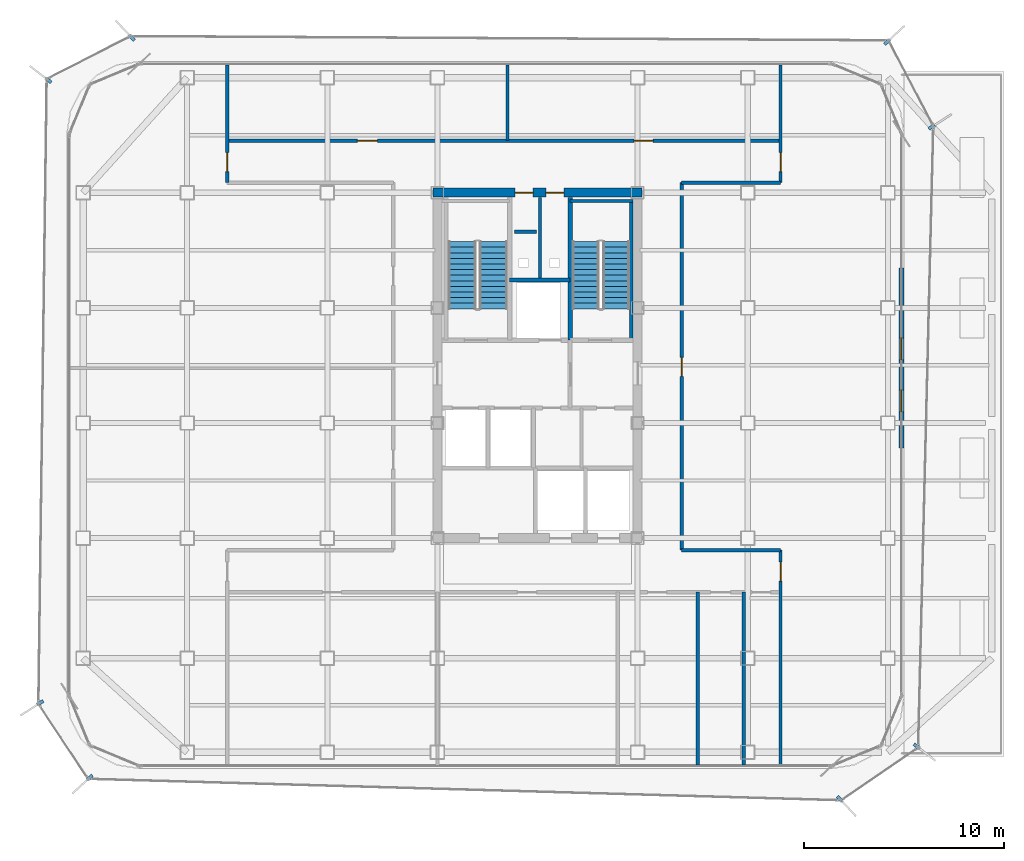
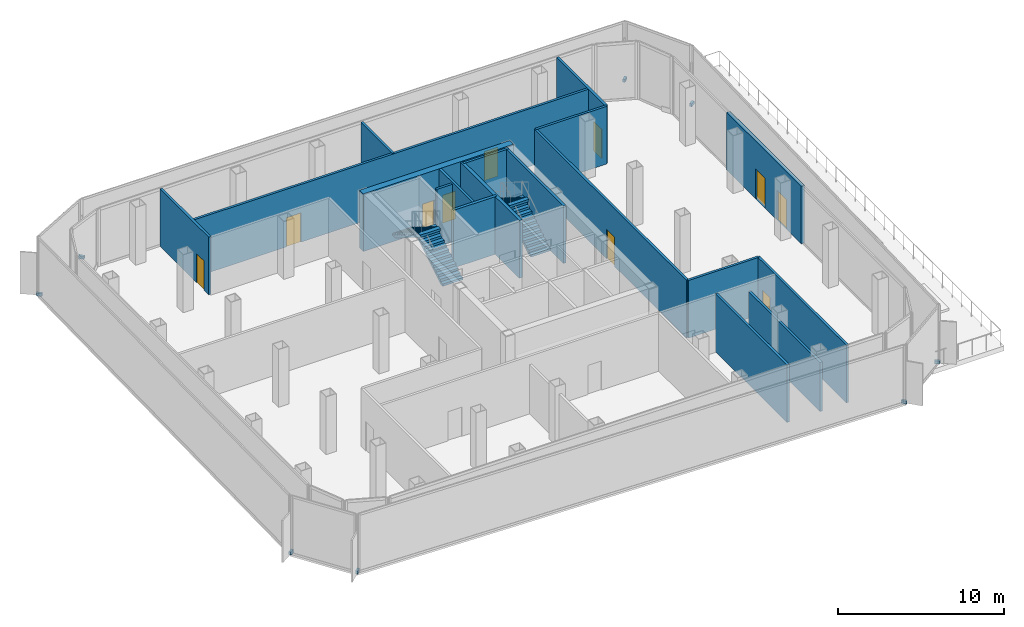
# One storey, part 11 of 14: 18 walls, 10 doors, 8 discrete accessories, 4 stair flights, 10 openings, 2 elements without a shape of their own.
"""IFC4 building model written with IfcOpenShell, lengths in metres."""

from ifc_helpers import new_model, si_unit, direction, frame, frame_2d, origin, origin_2d, place, context, subcontext, project, spatial, polyline, rectangle, outline, extrude, source, transform, mapped, material, layer, layer_set, type_object, element, fill, aggregate, save


model = new_model("IFC4")

# Units and contexts
model_context = context("Model", 3, precision=1e-05, world=origin(), true_north=direction((0.0, 1.0)))
body_context = subcontext(model_context, "Body", "Model", "MODEL_VIEW")
ifc_project = project(units=[si_unit("LENGTHUNIT", "METRE"), si_unit("AREAUNIT", "SQUARE_METRE"), si_unit("VOLUMEUNIT", "CUBIC_METRE"), si_unit("PLANEANGLEUNIT", "RADIAN"), si_unit("MASSUNIT", "GRAM", prefix="KILO")], contexts=[model_context])

# Site, building, storey
site_placement = place(None, origin())
site = spatial("IfcSite", under=ifc_project, at=site_placement, CompositionType="ELEMENT")
building_placement = place(site_placement, origin())
building = spatial("IfcBuilding", under=site, at=building_placement, Name="Kolveth Station Tower", CompositionType="ELEMENT")
storey_placement = place(building_placement, frame((0.0, 0.0, 151.60009765625)))
storey = spatial("IfcBuildingStorey", under=building, at=storey_placement, Name="L42", CompositionType="ELEMENT", Elevation=151.60009765625)

# Wall, openings, doors
ifc_material_1 = material(Name="Concrete C50/60", Category="concrete")
ifc_layer_1 = layer(ifc_material_1, 0.449951171875)
ifc_layer_set_1 = layer_set([ifc_layer_1], Name="Concrete C50/60")
wall_type_1 = type_object("IfcWallType", Name="Wall_CW-450", PredefinedType="SHEAR", material=ifc_layer_set_1)
wall_1_placement = place(storey_placement, frame((18.27490234375, 28.75, 0.0), z_axis=(0.0, 0.0, 1.0), x_axis=(1.0, 0.0, 0.0)))
wall_1 = element("IfcWall", 1, at=wall_1_placement, inside=storey, type_object=wall_type_1, Name="L42 Core RC Shear Wall N", PredefinedType="SHEAR", context=body_context, shape_type="SweptSolid", body=[
    extrude(rectangle(XDim=10.4501953125, YDim=0.449951171875, at=frame_2d((5.22509765625, 0.0))), origin(), (0.0, 0.0, 1.0), 4.25),
])
opening_1_placement = place(wall_1_placement, frame((4.10498046875, 0.0, 0.0)))
opening_1 = element("IfcOpeningElement", 2, at=opening_1_placement, cuts=wall_1, Name="Opening RD1", PredefinedType="OPENING", context=body_context, shape_type="SweptSolid", body=[
    extrude(rectangle(XDim=0.89990234375, YDim=2.050048828125, at=frame_2d((0.449951171875, 1.02490234375))), frame((0.0, 0.23486328125, 0.0), z_axis=(0.0, -1.0, 0.0), x_axis=(1.0, 0.0, 0.0)), (0.0, 0.0, 1.0), 0.469970703125),
])
opening_2_placement = place(wall_1_placement, frame((5.64501953125, 0.0, 0.0)))
opening_2 = element("IfcOpeningElement", 3, at=opening_2_placement, cuts=wall_1, Name="Opening RD1", PredefinedType="OPENING", context=body_context, shape_type="SweptSolid", body=[
    extrude(rectangle(XDim=0.89990234375, YDim=2.050048828125, at=frame_2d((0.449951171875, 1.02490234375))), frame((0.0, 0.23486328125, 0.0), z_axis=(0.0, -1.0, 0.0), x_axis=(1.0, 0.0, 0.0)), (0.0, 0.0, 1.0), 0.469970703125),
])
ifc_material_2 = material(Name="Fire-rated Steel S355 riser access leaf", Category="steel")
door_type_1 = type_object("IfcDoorType", Name="Door_RD1", OperationType="NOTDEFINED", PredefinedType="DOOR", material=ifc_material_2)
door_1_placement = place(opening_1_placement, origin())
door_1 = element("IfcDoor", 4, at=door_1_placement, inside=storey, type_object=door_type_1, Name="L42 Electrical Riser Access Door", OperationType="SINGLE_SWING_LEFT", OverallHeight=2.050048828125, OverallWidth=0.89990234375, PredefinedType="DOOR", context=body_context, shape_type="SweptSolid", body=[
    extrude(rectangle(XDim=0.89990234375, YDim=2.050048828125, at=frame_2d((0.449951171875, 1.02490234375))), frame((0.0, 0.02490234375, 0.0), z_axis=(0.0, -1.0, 0.0), x_axis=(1.0, 0.0, 0.0)), (0.0, 0.0, 1.0), 0.050048828125),
])
fill(opening_1, door_1)
door_2_placement = place(opening_2_placement, origin())
door_2 = element("IfcDoor", 5, at=door_2_placement, inside=storey, type_object=door_type_1, Name="L42 Smoke Duct Access Door", OperationType="SINGLE_SWING_LEFT", OverallHeight=2.050048828125, OverallWidth=0.89990234375, PredefinedType="DOOR", context=body_context, shape_type="SweptSolid", body=[
    extrude(rectangle(XDim=0.89990234375, YDim=2.050048828125, at=frame_2d((0.449951171875, 1.02490234375))), frame((0.0, 0.02490234375, 0.0), z_axis=(0.0, -1.0, 0.0), x_axis=(1.0, 0.0, 0.0)), (0.0, 0.0, 1.0), 0.050048828125),
])
fill(opening_2, door_2)

ifc_material_3 = material(Name="Precast concrete C40/50", Category="concrete")
ifc_layer_2 = layer(ifc_material_3, 0.239990234375)
ifc_layer_set_2 = layer_set([ifc_layer_2], Name="Precast concrete C40/50")
wall_type_2 = type_object("IfcWallType", Name="Wall_EW-240", PredefinedType="SOLIDWALL", material=ifc_layer_set_2)
wall_2_placement = place(storey_placement, frame((41.679931640625, 16.0, 0.0), z_axis=(0.0, 0.0, 1.0), x_axis=(0.0, 1.0, 0.0)))
wall_2 = element("IfcWall", 6, at=wall_2_placement, inside=storey, type_object=wall_type_2, Name="L42 Sky Garden Terrace Vestibule Wall", PredefinedType="SOLIDWALL", context=body_context, shape_type="SweptSolid", body=[
    extrude(rectangle(XDim=9.0, YDim=0.239990234375, at=frame_2d((4.5, 0.0))), origin(), (0.0, 0.0, 1.0), 4.25),
])
opening_3_placement = place(wall_2_placement, frame((1.800048828125, 0.0, 0.0)))
opening_3 = element("IfcOpeningElement", 7, at=opening_3_placement, cuts=wall_2, Name="Opening TD1", PredefinedType="OPENING", context=body_context, shape_type="SweptSolid", body=[
    extrude(rectangle(XDim=1.10009765625, YDim=2.199951171875, at=frame_2d((0.550048828125, 1.10009765625))), frame((0.0, 0.1298828125, 0.0), z_axis=(0.0, -1.0, 0.0), x_axis=(1.0, 0.0, 0.0)), (0.0, 0.0, 1.0), 0.260009765625),
])
opening_4_placement = place(wall_2_placement, frame((4.39990234375, 0.0, 0.0)))
opening_4 = element("IfcOpeningElement", 8, at=opening_4_placement, cuts=wall_2, Name="Opening TD1", PredefinedType="OPENING", context=body_context, shape_type="SweptSolid", body=[
    extrude(rectangle(XDim=1.10009765625, YDim=2.199951171875, at=frame_2d((0.550048828125, 1.10009765625))), frame((0.0, 0.1298828125, 0.0), z_axis=(0.0, -1.0, 0.0), x_axis=(1.0, 0.0, 0.0)), (0.0, 0.0, 1.0), 0.260009765625),
])
ifc_material_4 = material(Name="Black anodized aluminium 6063-T6 and low-E dark glass", Category="aluminium")
door_type_2 = type_object("IfcDoorType", Name="Door_TD1", OperationType="NOTDEFINED", PredefinedType="DOOR", material=ifc_material_4)
door_3_placement = place(opening_3_placement, frame((1.10009765625, 0.0, 0.0), z_axis=(0.0, 0.0, 1.0), x_axis=(-1.0, 0.0, 0.0)))
door_3 = element("IfcDoor", 9, at=door_3_placement, inside=storey, type_object=door_type_2, Name="L42 East Sky Garden Terrace Door 1", OperationType="SINGLE_SWING_LEFT", OverallHeight=2.199951171875, OverallWidth=1.10009765625, PredefinedType="DOOR", context=body_context, shape_type="SweptSolid", body=[
    extrude(rectangle(XDim=1.10009765625, YDim=2.199951171875, at=frame_2d((0.550048828125, 1.10009765625))), frame((0.0, 0.02490234375, 0.0), z_axis=(0.0, -1.0, 0.0), x_axis=(1.0, 0.0, 0.0)), (0.0, 0.0, 1.0), 0.050048828125),
])
fill(opening_3, door_3)
door_4_placement = place(opening_4_placement, frame((1.10009765625, 0.0, 0.0), z_axis=(0.0, 0.0, 1.0), x_axis=(-1.0, 0.0, 0.0)))
door_4 = element("IfcDoor", 10, at=door_4_placement, inside=storey, type_object=door_type_2, Name="L42 East Sky Garden Terrace Door 2", OperationType="SINGLE_SWING_RIGHT", OverallHeight=2.199951171875, OverallWidth=1.10009765625, PredefinedType="DOOR", context=body_context, shape_type="SweptSolid", body=[
    extrude(rectangle(XDim=1.10009765625, YDim=2.199951171875, at=frame_2d((0.550048828125, 1.10009765625))), frame((0.0, 0.02490234375, 0.0), z_axis=(0.0, -1.0, 0.0), x_axis=(1.0, 0.0, 0.0)), (0.0, 0.0, 1.0), 0.050048828125),
])
fill(opening_4, door_4)

# Walls
ifc_material_5 = material(Name="Acoustic double-stud gypsum partition")
ifc_layer_3 = layer(ifc_material_5, 0.1650390625)
ifc_layer_set_3 = layer_set([ifc_layer_3], Name="Acoustic double-stud gypsum partition")
wall_type_3 = type_object("IfcWallType", Name="Wall_IW-165", PredefinedType="PARTITIONING", material=ifc_layer_set_3)
wall_3_placement = place(storey_placement, frame((25.1298828125, 28.3349609375, 0.0), z_axis=(0.0, 0.0, 1.0), x_axis=(1.0, 0.0, 0.0)))
element("IfcWall", 11, at=wall_3_placement, inside=storey, type_object=wall_type_3, Name="L42 Stair Shaft Wall WL-L42-ST2-N", PredefinedType="PARTITIONING", context=body_context, shape_type="SweptSolid", body=[
    extrude(rectangle(XDim=3.135009765625, YDim=0.1650390625, at=frame_2d((1.5673828125, 0.0))), origin(), (0.0, 0.0, 1.0), 4.25),
])
wall_4_placement = place(storey_placement, frame((28.1826171875, 21.389892578125, 0.0), z_axis=(0.0, 0.0, 1.0), x_axis=(0.0, 1.0, 0.0)))
element("IfcWall", 12, at=wall_4_placement, inside=storey, type_object=wall_type_3, Name="L42 Stair Shaft Wall WL-L42-ST2-E", PredefinedType="PARTITIONING", context=body_context, shape_type="SweptSolid", body=[
    extrude(rectangle(XDim=6.945068359375, YDim=0.1650390625, at=frame_2d((3.47265625, 0.0))), origin(), (0.0, 0.0, 1.0), 4.25),
])
wall_5_placement = place(storey_placement, frame((23.6201171875, 24.39990234375, 0.0), z_axis=(0.0, 0.0, 1.0), x_axis=(0.0, 1.0, 0.0)))
element("IfcWall", 13, at=wall_5_placement, inside=storey, type_object=wall_type_3, Name="L42 Partition Wall WL-L42-RSR-M", PredefinedType="PARTITIONING", context=body_context, shape_type="SweptSolid", body=[
    extrude(rectangle(XDim=4.114990234375, YDim=0.1650390625, at=frame_2d((2.0576171875, 0.0))), origin(), (0.0, 0.0, 1.0), 4.25),
])

# Wall, openings, doors
wall_6_placement = place(storey_placement, frame((8.0, 31.35009765625, 0.0), z_axis=(0.0, 0.0, 1.0), x_axis=(1.0, 0.0, 0.0)))
wall_6 = element("IfcWall", 14, at=wall_6_placement, inside=storey, type_object=wall_type_3, Name="L42 Partition Wall WL-L42-SLN", PredefinedType="PARTITIONING", context=body_context, shape_type="SweptSolid", body=[
    extrude(rectangle(XDim=27.639892578125, YDim=0.1650390625, at=frame_2d((13.81982421875, 0.0))), origin(), (0.0, 0.0, 1.0), 4.25),
])
opening_5_placement = place(wall_6_placement, frame((6.5, 0.0, 0.0)))
opening_5 = element("IfcOpeningElement", 15, at=opening_5_placement, cuts=wall_6, Name="Opening FD3", PredefinedType="OPENING", context=body_context, shape_type="SweptSolid", body=[
    extrude(rectangle(XDim=1.0, YDim=2.14990234375, at=frame_2d((0.5, 1.074951171875))), frame((0.0, 0.092529296875, 0.0), z_axis=(0.0, -1.0, 0.0), x_axis=(1.0, 0.0, 0.0)), (0.0, 0.0, 1.0), 0.18505859375),
])
opening_6_placement = place(wall_6_placement, frame((20.320068359375, 0.0, 0.0)))
opening_6 = element("IfcOpeningElement", 16, at=opening_6_placement, cuts=wall_6, Name="Opening ID1", PredefinedType="OPENING", context=body_context, shape_type="SweptSolid", body=[
    extrude(rectangle(XDim=0.949951171875, YDim=2.14990234375, at=frame_2d((0.47509765625, 1.074951171875))), frame((0.0, 0.092529296875, 0.0), z_axis=(0.0, -1.0, 0.0), x_axis=(1.0, 0.0, 0.0)), (0.0, 0.0, 1.0), 0.18505859375),
])
ifc_material_6 = material(Name="Fire-rated hardwood leaf and aluminium frame", Category="wood")
door_type_3 = type_object("IfcDoorType", Name="Door_FD3", OperationType="NOTDEFINED", PredefinedType="DOOR", material=ifc_material_6)
door_5_placement = place(opening_5_placement, origin())
door_5 = element("IfcDoor", 17, at=door_5_placement, inside=storey, type_object=door_type_3, Name="L42 High-Rise Sky Lobby Hall Door", OperationType="SINGLE_SWING_LEFT", OverallHeight=2.14990234375, OverallWidth=1.0, PredefinedType="DOOR", context=body_context, shape_type="SweptSolid", body=[
    extrude(rectangle(XDim=1.0, YDim=2.14990234375, at=frame_2d((0.5, 1.074951171875))), frame((0.0, 0.02490234375, 0.0), z_axis=(0.0, -1.0, 0.0), x_axis=(1.0, 0.0, 0.0)), (0.0, 0.0, 1.0), 0.050048828125),
])
fill(opening_5, door_5)
ifc_material_7 = material(Name="Acoustic hardwood leaf and aluminium frame", Category="wood")
door_type_4 = type_object("IfcDoorType", Name="Door_ID1", OperationType="NOTDEFINED", PredefinedType="DOOR", material=ifc_material_7)
door_6_placement = place(opening_6_placement, origin())
door_6 = element("IfcDoor", 18, at=door_6_placement, inside=storey, type_object=door_type_4, Name="L42 Sky Reading Study Door", OperationType="SINGLE_SWING_RIGHT", OverallHeight=2.14990234375, OverallWidth=0.949951171875, PredefinedType="DOOR", context=body_context, shape_type="SweptSolid", body=[
    extrude(rectangle(XDim=0.949951171875, YDim=2.14990234375, at=frame_2d((0.47509765625, 1.074951171875))), frame((0.0, 0.02490234375, 0.0), z_axis=(0.0, -1.0, 0.0), x_axis=(1.0, 0.0, 0.0)), (0.0, 0.0, 1.0), 0.050048828125),
])
fill(opening_6, door_6)

# Walls
for number, where, z_axis, x_axis, name in (
    (19, (30.699951171875, 10.89990234375, 0.0), (0.0, 0.0, 1.0), (1.0, 0.0, 0.0), "L42 Partition Wall WL-L42-SLSET"),
    (20, (30.699951171875, 29.25, 0.0), (0.0, 0.0, 1.0), (1.0, 0.0, 0.0), "L42 Partition Wall WL-L42-SLNEB"),
):
    element("IfcWall", number, at=place(storey_placement, frame(where, z_axis=z_axis, x_axis=x_axis)), inside=storey, type_object=wall_type_3, Name=name, PredefinedType="PARTITIONING", context=body_context, shape_type="SweptSolid", body=[
        extrude(rectangle(XDim=4.93994140625, YDim=0.1650390625, at=frame_2d((2.469970703125, 0.0))), origin(), (0.0, 0.0, 1.0), 4.25),
    ])

# Wall, opening, door
wall_7_placement = place(storey_placement, frame((30.699951171875, 10.89990234375, 0.0), z_axis=(0.0, 0.0, 1.0), x_axis=(0.0, 1.0, 0.0)))
wall_7 = element("IfcWall", 21, at=wall_7_placement, inside=storey, type_object=wall_type_3, Name="L42 Partition Wall WL-L42-SLE", PredefinedType="PARTITIONING", context=body_context, shape_type="SweptSolid", body=[
    extrude(rectangle(XDim=18.35009765625, YDim=0.1650390625, at=frame_2d((9.175048828125, 0.0))), origin(), (0.0, 0.0, 1.0), 4.25),
])
opening_7_placement = place(wall_7_placement, frame((8.675048828125, 0.0, 0.0)))
opening_7 = element("IfcOpeningElement", 22, at=opening_7_placement, cuts=wall_7, Name="Opening ID1", PredefinedType="OPENING", context=body_context, shape_type="SweptSolid", body=[
    extrude(rectangle(XDim=0.949951171875, YDim=2.14990234375, at=frame_2d((0.47509765625, 1.074951171875))), frame((0.0, 0.092529296875, 0.0), z_axis=(0.0, -1.0, 0.0), x_axis=(1.0, 0.0, 0.0)), (0.0, 0.0, 1.0), 0.18505859375),
])
door_7_placement = place(opening_7_placement, origin())
door_7 = element("IfcDoor", 23, at=door_7_placement, inside=storey, type_object=door_type_4, Name="L42 Sky Garden Pavilion Lounge Door", OperationType="SINGLE_SWING_LEFT", OverallHeight=2.14990234375, OverallWidth=0.949951171875, PredefinedType="DOOR", context=body_context, shape_type="SweptSolid", body=[
    extrude(rectangle(XDim=0.949951171875, YDim=2.14990234375, at=frame_2d((0.47509765625, 1.074951171875))), frame((0.0, 0.02490234375, 0.0), z_axis=(0.0, -1.0, 0.0), x_axis=(1.0, 0.0, 0.0)), (0.0, 0.0, 1.0), 0.050048828125),
])
fill(opening_7, door_7)

wall_8_placement = place(storey_placement, frame((8.0, 29.25, 0.0), z_axis=(0.0, 0.0, 1.0), x_axis=(0.0, 1.0, 0.0)))
wall_8 = element("IfcWall", 24, at=wall_8_placement, inside=storey, type_object=wall_type_3, Name="L42 Partition Wall WL-L42-SLWN", PredefinedType="PARTITIONING", context=body_context, shape_type="SweptSolid", body=[
    extrude(rectangle(XDim=5.889892578125, YDim=0.1650390625, at=frame_2d((2.94482421875, 0.0))), origin(), (0.0, 0.0, 1.0), 4.25),
])
opening_8_placement = place(wall_8_placement, frame((0.550048828125, 0.0, 0.0)))
opening_8 = element("IfcOpeningElement", 25, at=opening_8_placement, cuts=wall_8, Name="Opening ID1", PredefinedType="OPENING", context=body_context, shape_type="SweptSolid", body=[
    extrude(rectangle(XDim=0.949951171875, YDim=2.14990234375, at=frame_2d((0.47509765625, 1.074951171875))), frame((0.0, 0.092529296875, 0.0), z_axis=(0.0, -1.0, 0.0), x_axis=(1.0, 0.0, 0.0)), (0.0, 0.0, 1.0), 0.18505859375),
])
door_8_placement = place(opening_8_placement, frame((0.949951171875, 0.0, 0.0), z_axis=(0.0, 0.0, 1.0), x_axis=(-1.0, 0.0, 0.0)))
door_8 = element("IfcDoor", 26, at=door_8_placement, inside=storey, type_object=door_type_4, Name="L42 Sky Study NW Door", OperationType="SINGLE_SWING_LEFT", OverallHeight=2.14990234375, OverallWidth=0.949951171875, PredefinedType="DOOR", context=body_context, shape_type="SweptSolid", body=[
    extrude(rectangle(XDim=0.949951171875, YDim=2.14990234375, at=frame_2d((0.47509765625, 1.074951171875))), frame((0.0, 0.02490234375, 0.0), z_axis=(0.0, -1.0, 0.0), x_axis=(1.0, 0.0, 0.0)), (0.0, 0.0, 1.0), 0.050048828125),
])
fill(opening_8, door_8)

wall_9_placement = place(storey_placement, frame((35.639892578125, 0.159912109375, 0.0), z_axis=(0.0, 0.0, 1.0), x_axis=(0.0, 1.0, 0.0)))
wall_9 = element("IfcWall", 27, at=wall_9_placement, inside=storey, type_object=wall_type_3, Name="L42 Partition Wall WL-L42-SLEE", PredefinedType="PARTITIONING", context=body_context, shape_type="SweptSolid", body=[
    extrude(rectangle(XDim=10.739990234375, YDim=0.1650390625, at=frame_2d((5.3701171875, 0.0))), origin(), (0.0, 0.0, 1.0), 4.25),
])
opening_9_placement = place(wall_9_placement, frame((9.18994140625, 0.0, 0.0)))
opening_9 = element("IfcOpeningElement", 28, at=opening_9_placement, cuts=wall_9, Name="Opening ID1", PredefinedType="OPENING", context=body_context, shape_type="SweptSolid", body=[
    extrude(rectangle(XDim=0.949951171875, YDim=2.14990234375, at=frame_2d((0.47509765625, 1.074951171875))), frame((0.0, 0.092529296875, 0.0), z_axis=(0.0, -1.0, 0.0), x_axis=(1.0, 0.0, 0.0)), (0.0, 0.0, 1.0), 0.18505859375),
])
door_9_placement = place(opening_9_placement, origin())
door_9 = element("IfcDoor", 29, at=door_9_placement, inside=storey, type_object=door_type_4, Name="L42 Sky Corner Office SE Door", OperationType="SINGLE_SWING_LEFT", OverallHeight=2.14990234375, OverallWidth=0.949951171875, PredefinedType="DOOR", context=body_context, shape_type="SweptSolid", body=[
    extrude(rectangle(XDim=0.949951171875, YDim=2.14990234375, at=frame_2d((0.47509765625, 1.074951171875))), frame((0.0, 0.02490234375, 0.0), z_axis=(0.0, -1.0, 0.0), x_axis=(1.0, 0.0, 0.0)), (0.0, 0.0, 1.0), 0.050048828125),
])
fill(opening_9, door_9)

wall_10_placement = place(storey_placement, frame((35.639892578125, 29.25, 0.0), z_axis=(0.0, 0.0, 1.0), x_axis=(0.0, 1.0, 0.0)))
wall_10 = element("IfcWall", 30, at=wall_10_placement, inside=storey, type_object=wall_type_3, Name="L42 Partition Wall WL-L42-SLEN", PredefinedType="PARTITIONING", context=body_context, shape_type="SweptSolid", body=[
    extrude(rectangle(XDim=5.889892578125, YDim=0.1650390625, at=frame_2d((2.94482421875, 0.0))), origin(), (0.0, 0.0, 1.0), 4.25),
])
opening_10_placement = place(wall_10_placement, frame((0.550048828125, 0.0, 0.0)))
opening_10 = element("IfcOpeningElement", 31, at=opening_10_placement, cuts=wall_10, Name="Opening ID1", PredefinedType="OPENING", context=body_context, shape_type="SweptSolid", body=[
    extrude(rectangle(XDim=0.949951171875, YDim=2.14990234375, at=frame_2d((0.47509765625, 1.074951171875))), frame((0.0, 0.092529296875, 0.0), z_axis=(0.0, -1.0, 0.0), x_axis=(1.0, 0.0, 0.0)), (0.0, 0.0, 1.0), 0.18505859375),
])
door_10_placement = place(opening_10_placement, origin())
door_10 = element("IfcDoor", 32, at=door_10_placement, inside=storey, type_object=door_type_4, Name="L42 Sky Boardroom NE Door", OperationType="SINGLE_SWING_RIGHT", OverallHeight=2.14990234375, OverallWidth=0.949951171875, PredefinedType="DOOR", context=body_context, shape_type="SweptSolid", body=[
    extrude(rectangle(XDim=0.949951171875, YDim=2.14990234375, at=frame_2d((0.47509765625, 1.074951171875))), frame((0.0, 0.02490234375, 0.0), z_axis=(0.0, -1.0, 0.0), x_axis=(1.0, 0.0, 0.0)), (0.0, 0.0, 1.0), 0.050048828125),
])
fill(opening_10, door_10)

# Walls
wall_11_placement = place(storey_placement, frame((31.5, 0.159912109375, 0.0), z_axis=(0.0, 0.0, 1.0), x_axis=(0.0, 1.0, 0.0)))
element("IfcWall", 33, at=wall_11_placement, inside=storey, type_object=wall_type_3, Name="L42 Partition Wall WL-L42-SS-P3", PredefinedType="PARTITIONING", context=body_context, shape_type="SweptSolid", body=[
    extrude(rectangle(XDim=8.64013671875, YDim=0.1650390625, at=frame_2d((4.320068359375, 0.0))), origin(), (0.0, 0.0, 1.0), 4.25),
])
wall_12_placement = place(storey_placement, frame((33.800048828125, 0.159912109375, 0.0), z_axis=(0.0, 0.0, 1.0), x_axis=(0.0, 1.0, 0.0)))
element("IfcWall", 34, at=wall_12_placement, inside=storey, type_object=wall_type_3, Name="L42 Partition Wall WL-L42-SS-P4", PredefinedType="PARTITIONING", context=body_context, shape_type="SweptSolid", body=[
    extrude(rectangle(XDim=8.64013671875, YDim=0.1650390625, at=frame_2d((4.320068359375, 0.0))), origin(), (0.0, 0.0, 1.0), 3.622802734375),
])
wall_13_placement = place(storey_placement, frame((22.0, 31.35009765625, 0.0), z_axis=(0.0, 0.0, 1.0), x_axis=(0.0, 1.0, 0.0)))
element("IfcWall", 35, at=wall_13_placement, inside=storey, type_object=wall_type_3, Name="L42 Partition Wall WL-L42-SN-P1", PredefinedType="PARTITIONING", context=body_context, shape_type="SweptSolid", body=[
    extrude(rectangle(XDim=3.789794921875, YDim=0.1650390625, at=frame_2d((1.89501953125, 0.0))), origin(), (0.0, 0.0, 1.0), 4.25),
])
wall_14_placement = place(storey_placement, frame((22.35009765625, 26.800048828125, 0.0), z_axis=(0.0, 0.0, 1.0), x_axis=(1.0, 0.0, 0.0)))
element("IfcWall", 36, at=wall_14_placement, inside=storey, type_object=wall_type_3, Name="L42 Acoustic Riser Dry-Lining Wall", PredefinedType="PARTITIONING", context=body_context, shape_type="SweptSolid", body=[
    extrude(rectangle(XDim=1.099853515625, YDim=0.1650390625, at=frame_2d((0.5498046875, 0.0))), origin(), (0.0, 0.0, 1.0), 4.25),
])
ifc_material_8 = material(Name="Acoustic fire-rated gypsum blockwork", Category="masonry")
ifc_layer_4 = layer(ifc_material_8, 0.199951171875)
ifc_layer_set_4 = layer_set([ifc_layer_4], Name="Acoustic fire-rated gypsum blockwork")
wall_type_4 = type_object("IfcWallType", Name="Wall_IW-200", PredefinedType="PARTITIONING", material=ifc_layer_set_4)
wall_15_placement = place(storey_placement, frame((22.110107421875, 24.39990234375, 0.0), z_axis=(0.0, 0.0, 1.0), x_axis=(1.0, 0.0, 0.0)))
element("IfcWall", 37, at=wall_15_placement, inside=storey, type_object=wall_type_4, Name="L42 Partition Wall WL-L42-RSR-S", PredefinedType="PARTITIONING", context=body_context, shape_type="SweptSolid", body=[
    extrude(rectangle(XDim=3.019775390625, YDim=0.199951171875, at=frame_2d((1.509765625, 0.0))), origin(), (0.0, 0.0, 1.0), 4.25),
])
ifc_material_9 = material(Name="Concrete C40/50", Category="concrete")
ifc_layer_5 = layer(ifc_material_9, 0.219970703125)
ifc_layer_set_5 = layer_set([ifc_layer_5], Name="Concrete C40/50")
wall_type_5 = type_object("IfcWallType", Name="Wall_IW-220", PredefinedType="SOLIDWALL", material=ifc_layer_set_5)
wall_16_placement = place(storey_placement, frame((25.1298828125, 21.389892578125, 0.0), z_axis=(0.0, 0.0, 1.0), x_axis=(0.0, 1.0, 0.0)))
element("IfcWall", 38, at=wall_16_placement, inside=storey, type_object=wall_type_5, Name="L42 Stair Shaft Wall WL-L42-ST2-W", PredefinedType="SOLIDWALL", context=body_context, shape_type="SweptSolid", body=[
    extrude(rectangle(XDim=7.110107421875, YDim=0.219970703125, at=frame_2d((3.55517578125, 0.0))), origin(), (0.0, 0.0, 1.0), 4.25),
])

# Stair, stair flights
stair_type_1 = type_object("IfcStairType", Name="Stair_ST1", PredefinedType="HALF_TURN_STAIR", material=ifc_material_9)
stair_1_placement = place(storey_placement, origin())
stair_1 = element("IfcStair", 39, at=stair_1_placement, inside=storey, type_object=stair_type_1, Name="L42 Tower Exit Stair ST1", PredefinedType="HALF_TURN_STAIR")
ifc_layer_6 = layer(ifc_material_9, 0.179931640625)
ifc_layer_set_6 = layer_set([ifc_layer_6], Name="Concrete C40/50")
stair_flight_type_1 = type_object("IfcStairFlightType", Name="Flight_ST1", PredefinedType="STRAIGHT", material=ifc_layer_set_6)
stair_flight_1_placement = place(storey_placement, frame((21.300048828125, 22.949951171875, 0.0), z_axis=(0.0, 0.0, 1.0), x_axis=(0.0, 1.0, 0.0)))
stair_flight_1 = element("IfcStairFlight", 40, at=stair_flight_1_placement, type_object=stair_flight_type_1, Name="ST1 flight 1", NumberOfRisers=13, NumberOfTreads=12, PredefinedType="STRAIGHT", RiserHeight=0.173076923, TreadLength=0.28, context=body_context, shape_type="SweptSolid", body=[
    extrude(outline(polyline([(0.0, 0.0), (0.0, 0.173095703125), (0.280029296875, 0.173095703125), (0.280029296875, 0.34619140625), (0.56005859375, 0.34619140625), (0.56005859375, 0.519287109375), (0.840087890625, 0.519287109375), (0.840087890625, 0.6923828125), (1.1201171875, 0.6923828125), (1.1201171875, 0.865478515625), (1.39990234375, 0.865478515625), (1.39990234375, 1.03857421875), (1.679931640625, 1.03857421875), (1.679931640625, 1.21142578125), (1.9599609375, 1.21142578125), (1.9599609375, 1.384521484375), (2.239990234375, 1.384521484375), (2.239990234375, 1.5576171875), (2.52001953125, 1.5576171875), (2.52001953125, 1.730712890625), (2.800048828125, 1.730712890625), (2.800048828125, 1.90380859375), (3.080078125, 1.90380859375), (3.080078125, 2.076904296875), (3.360107421875, 2.076904296875), (3.360107421875, 2.25), (3.360107421875, 1.900634765625), (0.28515625, 0.0), (0.0, 0.0)])), frame((0.0, 0.699951171875, 0.0), z_axis=(0.0, -1.0, 0.0), x_axis=(1.0, 0.0, 0.0)), (0.0, 0.0, 1.0), 1.39990234375),
])
stair_flight_2_placement = place(storey_placement, frame((19.739990234375, 26.31005859375, 2.25), z_axis=(0.0, 0.0, 1.0), x_axis=(0.0, -1.0, 0.0)))
stair_flight_2 = element("IfcStairFlight", 41, at=stair_flight_2_placement, type_object=stair_flight_type_1, Name="ST1 flight 2", NumberOfRisers=13, NumberOfTreads=12, PredefinedType="STRAIGHT", RiserHeight=0.173076923, TreadLength=0.28, context=body_context, shape_type="SweptSolid", body=[
    extrude(outline(polyline([(0.0, 0.0), (0.0, 0.173095703125), (0.280029296875, 0.173095703125), (0.280029296875, 0.34619140625), (0.56005859375, 0.34619140625), (0.56005859375, 0.519287109375), (0.840087890625, 0.519287109375), (0.840087890625, 0.6923828125), (1.1201171875, 0.6923828125), (1.1201171875, 0.865478515625), (1.39990234375, 0.865478515625), (1.39990234375, 1.03857421875), (1.679931640625, 1.03857421875), (1.679931640625, 1.21142578125), (1.9599609375, 1.21142578125), (1.9599609375, 1.384521484375), (2.239990234375, 1.384521484375), (2.239990234375, 1.5576171875), (2.52001953125, 1.5576171875), (2.52001953125, 1.730712890625), (2.800048828125, 1.730712890625), (2.800048828125, 1.90380859375), (3.080078125, 1.90380859375), (3.080078125, 2.076904296875), (3.360107421875, 2.076904296875), (3.360107421875, 2.25), (3.360107421875, 1.900634765625), (0.28515625, 0.0), (0.0, 0.0)])), frame((0.0, 0.699951171875, 0.0), z_axis=(0.0, -1.0, 0.0), x_axis=(1.0, 0.0, 0.0)), (0.0, 0.0, 1.0), 1.39990234375),
])
aggregate(stair_1, [stair_flight_1, stair_flight_2])

stair_type_2 = type_object("IfcStairType", Name="Stair_ST2", PredefinedType="HALF_TURN_STAIR", material=ifc_material_9)
stair_2_placement = place(storey_placement, origin())
stair_2 = element("IfcStair", 42, at=stair_2_placement, inside=storey, type_object=stair_type_2, Name="L42 Tower Exit Stair ST2", PredefinedType="HALF_TURN_STAIR")
ifc_layer_7 = layer(ifc_material_9, 0.179931640625)
ifc_layer_set_7 = layer_set([ifc_layer_7], Name="Concrete C40/50")
stair_flight_type_2 = type_object("IfcStairFlightType", Name="Flight_ST2", PredefinedType="STRAIGHT", material=ifc_layer_set_7)
stair_flight_3_placement = place(storey_placement, frame((27.425048828125, 22.949951171875, 0.0), z_axis=(0.0, 0.0, 1.0), x_axis=(0.0, 1.0, 0.0)))
stair_flight_3 = element("IfcStairFlight", 43, at=stair_flight_3_placement, type_object=stair_flight_type_2, Name="ST2 flight 1", NumberOfRisers=13, NumberOfTreads=12, PredefinedType="STRAIGHT", RiserHeight=0.173076923, TreadLength=0.28, context=body_context, shape_type="SweptSolid", body=[
    extrude(outline(polyline([(0.0, 0.0), (0.0, 0.173095703125), (0.280029296875, 0.173095703125), (0.280029296875, 0.34619140625), (0.56005859375, 0.34619140625), (0.56005859375, 0.519287109375), (0.840087890625, 0.519287109375), (0.840087890625, 0.6923828125), (1.1201171875, 0.6923828125), (1.1201171875, 0.865478515625), (1.39990234375, 0.865478515625), (1.39990234375, 1.03857421875), (1.679931640625, 1.03857421875), (1.679931640625, 1.21142578125), (1.9599609375, 1.21142578125), (1.9599609375, 1.384521484375), (2.239990234375, 1.384521484375), (2.239990234375, 1.5576171875), (2.52001953125, 1.5576171875), (2.52001953125, 1.730712890625), (2.800048828125, 1.730712890625), (2.800048828125, 1.90380859375), (3.080078125, 1.90380859375), (3.080078125, 2.076904296875), (3.360107421875, 2.076904296875), (3.360107421875, 2.25), (3.360107421875, 1.900634765625), (0.28515625, 0.0), (0.0, 0.0)])), frame((0.0, 0.675048828125, 0.0), z_axis=(0.0, -1.0, 0.0), x_axis=(1.0, 0.0, 0.0)), (0.0, 0.0, 1.0), 1.35009765625),
])
stair_flight_4_placement = place(storey_placement, frame((25.9150390625, 26.31005859375, 2.25), z_axis=(0.0, 0.0, 1.0), x_axis=(0.0, -1.0, 0.0)))
stair_flight_4 = element("IfcStairFlight", 44, at=stair_flight_4_placement, type_object=stair_flight_type_2, Name="ST2 flight 2", NumberOfRisers=13, NumberOfTreads=12, PredefinedType="STRAIGHT", RiserHeight=0.173076923, TreadLength=0.28, context=body_context, shape_type="SweptSolid", body=[
    extrude(outline(polyline([(0.0, 0.0), (0.0, 0.173095703125), (0.280029296875, 0.173095703125), (0.280029296875, 0.34619140625), (0.56005859375, 0.34619140625), (0.56005859375, 0.519287109375), (0.840087890625, 0.519287109375), (0.840087890625, 0.6923828125), (1.1201171875, 0.6923828125), (1.1201171875, 0.865478515625), (1.39990234375, 0.865478515625), (1.39990234375, 1.03857421875), (1.679931640625, 1.03857421875), (1.679931640625, 1.21142578125), (1.9599609375, 1.21142578125), (1.9599609375, 1.384521484375), (2.239990234375, 1.384521484375), (2.239990234375, 1.5576171875), (2.52001953125, 1.5576171875), (2.52001953125, 1.730712890625), (2.800048828125, 1.730712890625), (2.800048828125, 1.90380859375), (3.080078125, 1.90380859375), (3.080078125, 2.076904296875), (3.360107421875, 2.076904296875), (3.360107421875, 2.25), (3.360107421875, 1.900634765625), (0.28515625, 0.0), (0.0, 0.0)])), frame((0.0, 0.675048828125, 0.0), z_axis=(0.0, -1.0, 0.0), x_axis=(1.0, 0.0, 0.0)), (0.0, 0.0, 1.0), 1.35009765625),
])
aggregate(stair_2, [stair_flight_3, stair_flight_4])

# Discrete accessories
ifc_material_10 = material(Name="Steel S355", Category="steel")
discrete_accessory_type = type_object("IfcDiscreteAccessoryType", Name="Bracket_BK1", PredefinedType="BRACKET", material=ifc_material_10)
shared_shape = source(origin(), body_context, "Body", "SweptSolid", [
    extrude(rectangle(XDim=0.35009765625, YDim=0.159912109375, at=origin_2d()), origin(), (0.0, 0.0, 1.0), 0.219970703125),
])
for number, where, z_axis, x_axis, name in (
    (45, (38.60498046875, -1.529052734375, -0.06005859375), (0.0, 0.0, 1.0), (0.678287926333, -0.734796222766, 0.0), "L42 Double-Skin Radial Tie Bracket 1"),
    (46, (42.43994140625, 1.09912109375, -0.06005859375), (0.0, 0.0, 1.0), (0.792928151339, -0.609315145729, 0.0), "L42 Double-Skin Radial Tie Bracket 2"),
    (47, (43.19091796875, 32.033935546875, -0.06005859375), (0.0, 0.0, 1.0), (0.84028285053, 0.542148255651, 0.0), "L42 Double-Skin Radial Tie Bracket 3"),
    (48, (40.967041015625, 36.285888671875, -0.06005859375), (0.0, 0.0, 1.0), (0.732780470562, 0.680465121782, 0.0), "L42 Double-Skin Radial Tie Bracket 4"),
    (49, (3.237060546875, 36.489990234375, -0.06005859375), (0.0, 0.0, 1.0), (-0.683910700219, 0.729565729819, 0.0), "L42 Double-Skin Radial Tie Bracket 5"),
    (50, (-0.929931640625, 34.366943359375, -0.06005859375), (0.0, 0.0, 1.0), (-0.793884282702, 0.608068865901, 0.0), "L42 Double-Skin Radial Tie Bracket 6"),
    (51, (-1.337890625, 3.27197265625, -0.06005859375), (0.0, 0.0, 1.0), (-0.839809417029, -0.542881334243, 0.0), "L42 Double-Skin Radial Tie Bracket 7"),
    (52, (1.132080078125, -0.464111328125, -0.06005859375), (0.0, 0.0, 1.0), (-0.73727733681, -0.675590207616, 0.0), "L42 Double-Skin Radial Tie Bracket 8"),
):
    element("IfcDiscreteAccessory", number, at=place(storey_placement, frame(where, z_axis=z_axis, x_axis=x_axis)), inside=storey, type_object=discrete_accessory_type, Name=name, PredefinedType="BRACKET", context=body_context, shape_type="MappedRepresentation", body=[
        mapped(shared_shape, transform((0.0, 0.0, 0.0), x_axis=(1.0, 0.0, 0.0), y_axis=(0.0, 1.0, 0.0), z_axis=(0.0, 0.0, 1.0), scale=1.0)),
    ])

save(model, "model.ifc")
